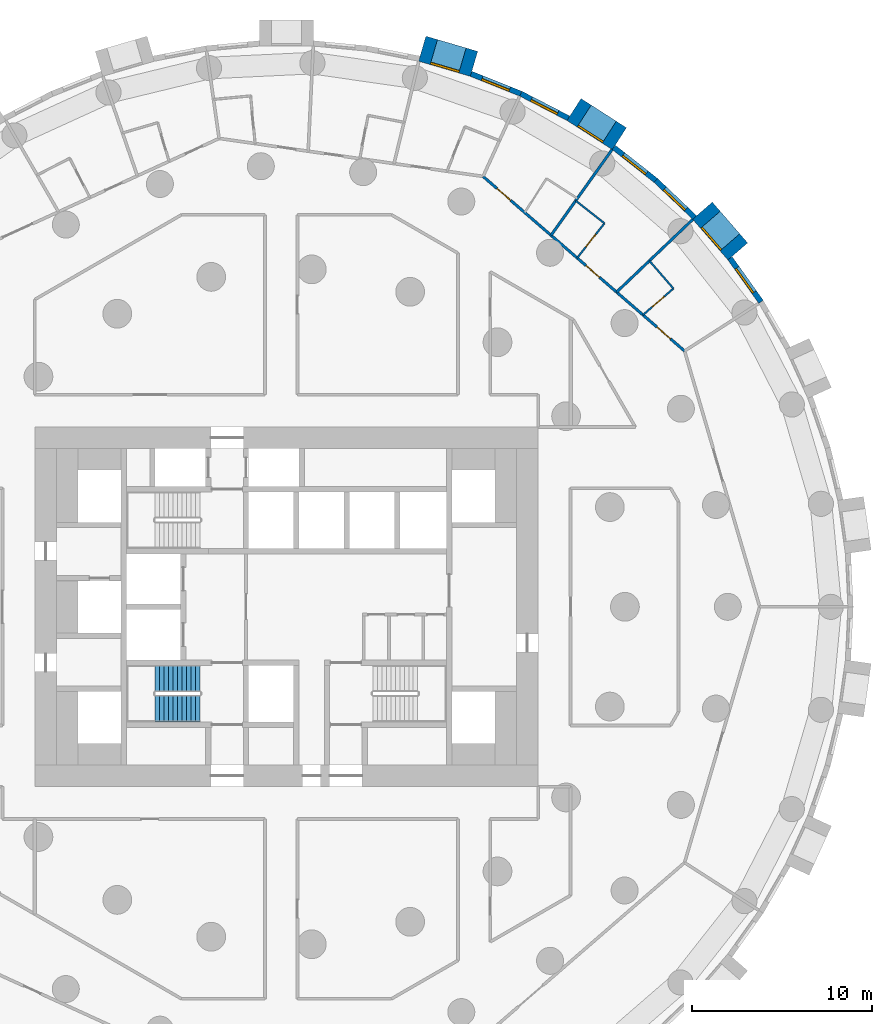
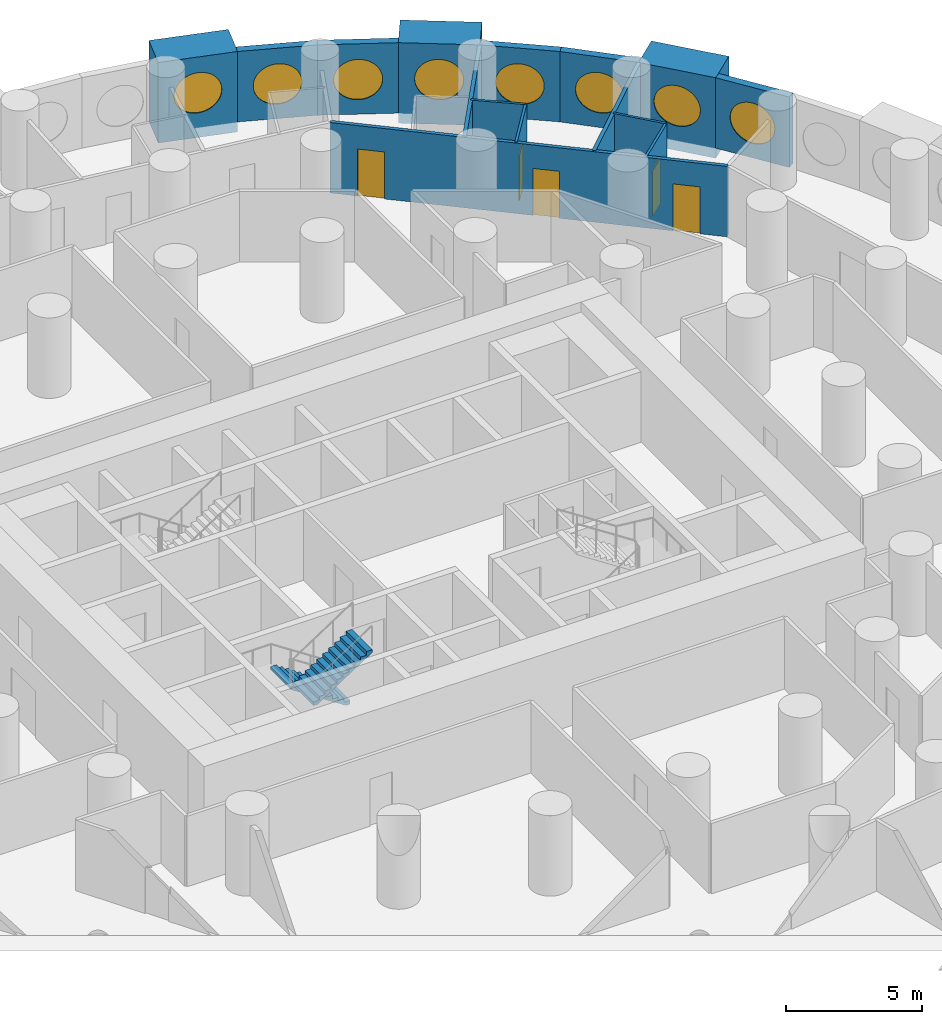
# One storey, part 10 of 12: 15 walls, 8 windows, 5 doors, 2 stair flights, 13 openings, 1 element without a shape of its own.
"""IFC4 building model written with IfcOpenShell, lengths in metres."""

from ifc_helpers import new_model, si_unit, direction, frame, frame_2d, origin, origin_2d, place, context, subcontext, project, spatial, polyline, rectangle, circle, outline, extrude, material, layer, layer_set, type_object, element, fill, aggregate, save


model = new_model("IFC4")

# Units and contexts
model_context = context("Model", 3, precision=1e-05, world=origin(), true_north=direction((0.0, 1.0)))
body_context = subcontext(model_context, "Body", "Model", "MODEL_VIEW")
ifc_project = project(units=[si_unit("LENGTHUNIT", "METRE"), si_unit("AREAUNIT", "SQUARE_METRE"), si_unit("VOLUMEUNIT", "CUBIC_METRE"), si_unit("PLANEANGLEUNIT", "RADIAN"), si_unit("MASSUNIT", "GRAM", prefix="KILO")], contexts=[model_context])

# Site, building, storey
site_placement = place(None, origin())
site = spatial("IfcSite", under=ifc_project, at=site_placement, CompositionType="ELEMENT")
building_placement = place(site_placement, origin())
building = spatial("IfcBuilding", under=site, at=building_placement, Name="Tracery Tower", CompositionType="ELEMENT")
storey_placement = place(building_placement, frame((0.0, 0.0, 49.800048828125)))
storey = spatial("IfcBuildingStorey", under=building, at=storey_placement, Name="L11", CompositionType="ELEMENT", Elevation=49.800048828125)

# Wall, opening, window
ifc_material_1 = material(Name="Precast concrete C50/60", Category="concrete")
ifc_layer_1 = layer(ifc_material_1, 1.449951171875)
ifc_layer_set_1 = layer_set([ifc_layer_1], Name="Deep-set bay unit 3000 x 3600, slab edge 450")
wall_type_1 = type_object("IfcWallType", Name="Deep-set bay unit 3000 x 3600, slab edge 450", PredefinedType="ELEMENTEDWALL", material=ifc_layer_set_1)
wall_1_placement = place(storey_placement, frame((25.101318359375, 19.765625, -0.449951171875), z_axis=(0.0, 0.0, 1.0), x_axis=(-0.654890259022, 0.75572398972, 0.0)))
wall_1 = element("IfcWall", 1, at=wall_1_placement, inside=storey, type_object=wall_type_1, Name="Deep-set bay unit 8 at L11", PredefinedType="ELEMENTEDWALL", context=body_context, shape_type="SweptSolid", body=[
    extrude(rectangle(XDim=3.0, YDim=1.449951171875, at=frame_2d((1.5, 0.0))), origin(), (0.0, 0.0, 1.0), 3.599853515625),
])
opening_1_placement = place(wall_1_placement, frame((1.5, 0.0, 2.0)))
opening_1 = element("IfcOpeningElement", 2, at=opening_1_placement, cuts=wall_1, Name="Opening WN1", PredefinedType="OPENING", context=body_context, shape_type="SweptSolid", body=[
    extrude(circle(Radius=0.9000244140625, at=origin_2d()), frame((0.0, 0.73486328125, 0.0), z_axis=(0.0, -1.0, 0.0), x_axis=(1.0, 0.0, 0.0)), (0.0, 0.0, 1.0), 1.469970703125),
])
ifc_material_2 = material(Name="Aluminium frame with tinted double glazing", Category="aluminium")
window_type = type_object("IfcWindowType", Name="Round window 1800", PartitioningType="SINGLE_PANEL", PredefinedType="WINDOW", material=ifc_material_2)
window_1_placement = place(opening_1_placement, origin())
window_1 = element("IfcWindow", 3, at=window_1_placement, inside=storey, type_object=window_type, Name="Round window 8 at L11", OverallHeight=1.800048828125, OverallWidth=1.800048828125, PartitioningType="SINGLE_PANEL", PredefinedType="WINDOW", context=body_context, shape_type="SweptSolid", body=[
    extrude(circle(Radius=0.9000244140625, at=origin_2d()), frame((0.0, 0.69482421875, 0.0), z_axis=(0.0, -1.0, 0.0), x_axis=(1.0, 0.0, 0.0)), (0.0, 0.0, 1.0), 0.10009765625),
])
fill(opening_1, window_1)

wall_2_placement = place(storey_placement, frame((18.515869140625, 26.03662109375, -0.449951171875), z_axis=(0.0, 0.0, 1.0), x_axis=(-0.841223422347, 0.540687667415, 0.0)))
wall_2 = element("IfcWall", 4, at=wall_2_placement, inside=storey, type_object=wall_type_1, Name="Deep-set bay unit 11 at L11", PredefinedType="ELEMENTEDWALL", context=body_context, shape_type="SweptSolid", body=[
    extrude(rectangle(XDim=3.0, YDim=1.449951171875, at=frame_2d((1.5, 0.0))), origin(), (0.0, 0.0, 1.0), 3.599853515625),
])
opening_2_placement = place(wall_2_placement, frame((1.5, 0.0, 2.0)))
opening_2 = element("IfcOpeningElement", 5, at=opening_2_placement, cuts=wall_2, Name="Opening WN1", PredefinedType="OPENING", context=body_context, shape_type="SweptSolid", body=[
    extrude(circle(Radius=0.9000244140625, at=origin_2d()), frame((0.0, 0.73486328125, 0.0), z_axis=(0.0, -1.0, 0.0), x_axis=(1.0, 0.0, 0.0)), (0.0, 0.0, 1.0), 1.469970703125),
])
window_2_placement = place(opening_2_placement, origin())
window_2 = element("IfcWindow", 6, at=window_2_placement, inside=storey, type_object=window_type, Name="Round window 11 at L11", OverallHeight=1.800048828125, OverallWidth=1.800048828125, PartitioningType="SINGLE_PANEL", PredefinedType="WINDOW", context=body_context, shape_type="SweptSolid", body=[
    extrude(circle(Radius=0.9000244140625, at=origin_2d()), frame((0.0, 0.69482421875, 0.0), z_axis=(0.0, -1.0, 0.0), x_axis=(1.0, 0.0, 0.0)), (0.0, 0.0, 1.0), 0.10009765625),
])
fill(opening_2, window_2)

wall_3_placement = place(storey_placement, frame((10.430419921875, 30.198486328125, -0.449951171875), z_axis=(0.0, 0.0, 1.0), x_axis=(-0.959489813418, 0.281743319258, 0.0)))
wall_3 = element("IfcWall", 7, at=wall_3_placement, inside=storey, type_object=wall_type_1, Name="Deep-set bay unit 14 at L11", PredefinedType="ELEMENTEDWALL", context=body_context, shape_type="SweptSolid", body=[
    extrude(rectangle(XDim=3.0, YDim=1.449951171875, at=frame_2d((1.5, 0.0))), origin(), (0.0, 0.0, 1.0), 3.599853515625),
])
opening_3_placement = place(wall_3_placement, frame((1.5, 0.0, 2.0)))
opening_3 = element("IfcOpeningElement", 8, at=opening_3_placement, cuts=wall_3, Name="Opening WN1", PredefinedType="OPENING", context=body_context, shape_type="SweptSolid", body=[
    extrude(circle(Radius=0.9000244140625, at=origin_2d()), frame((0.0, 0.73486328125, 0.0), z_axis=(0.0, -1.0, 0.0), x_axis=(1.0, 0.0, 0.0)), (0.0, 0.0, 1.0), 1.469970703125),
])
window_3_placement = place(opening_3_placement, origin())
window_3 = element("IfcWindow", 9, at=window_3_placement, inside=storey, type_object=window_type, Name="Round window 14 at L11", OverallHeight=1.800048828125, OverallWidth=1.800048828125, PartitioningType="SINGLE_PANEL", PredefinedType="WINDOW", context=body_context, shape_type="SweptSolid", body=[
    extrude(circle(Radius=0.9000244140625, at=origin_2d()), frame((0.0, 0.69482421875, 0.0), z_axis=(0.0, -1.0, 0.0), x_axis=(1.0, 0.0, 0.0)), (0.0, 0.0, 1.0), 0.10009765625),
])
fill(opening_3, window_3)

ifc_material_3 = material(Name="Precast concrete C50/60", Category="concrete")
ifc_layer_2 = layer(ifc_material_3, 0.300048828125)
ifc_layer_set_2 = layer_set([ifc_layer_2], Name="Facade panel 3000 x 3150")
wall_type_2 = type_object("IfcWallType", Name="Facade panel 3000 x 3150", PredefinedType="SOLIDWALL", material=ifc_layer_set_2)
wall_4_placement = place(storey_placement, frame((26.393798828125, 16.96240234375, 0.0), z_axis=(0.0, 0.0, 1.0), x_axis=(-0.580059407678, 0.81457417315, 0.0)))
wall_4 = element("IfcWall", 10, at=wall_4_placement, inside=storey, type_object=wall_type_2, Name="Facade panel 7 at L11", PredefinedType="SOLIDWALL", context=body_context, shape_type="SweptSolid", body=[
    extrude(rectangle(XDim=2.9794921875, YDim=0.300048828125, at=frame_2d((1.48974609375, 0.0))), origin(), (0.0, 0.0, 1.0), 3.14990234375),
])
opening_4_placement = place(wall_4_placement, frame((1.48974609375, 0.0, 1.5498046875)))
opening_4 = element("IfcOpeningElement", 11, at=opening_4_placement, cuts=wall_4, Name="Opening WN1", PredefinedType="OPENING", context=body_context, shape_type="SweptSolid", body=[
    extrude(circle(Radius=0.9000244140625, at=origin_2d()), frame((0.0, 0.159912109375, 0.0), z_axis=(0.0, -1.0, 0.0), x_axis=(1.0, 0.0, 0.0)), (0.0, 0.0, 1.0), 0.320068359375),
])
window_4_placement = place(opening_4_placement, origin())
window_4 = element("IfcWindow", 12, at=window_4_placement, inside=storey, type_object=window_type, Name="Round window 7 at L11", OverallHeight=1.800048828125, OverallWidth=1.800048828125, PartitioningType="SINGLE_PANEL", PredefinedType="WINDOW", context=body_context, shape_type="SweptSolid", body=[
    extrude(circle(Radius=0.9000244140625, at=origin_2d()), frame((0.0, 0.1201171875, 0.0), z_axis=(0.0, -1.0, 0.0), x_axis=(1.0, 0.0, 0.0)), (0.0, 0.0, 1.0), 0.10009765625),
])
fill(opening_4, window_4)

wall_5_placement = place(storey_placement, frame((22.702392578125, 21.655029296875, 0.0), z_axis=(0.0, 0.0, 1.0), x_axis=(-0.723744206617, 0.690068346896, 0.0)))
wall_5 = element("IfcWall", 13, at=wall_5_placement, inside=storey, type_object=wall_type_2, Name="Facade panel 9 at L11", PredefinedType="SOLIDWALL", context=body_context, shape_type="SweptSolid", body=[
    extrude(rectangle(XDim=2.979736328125, YDim=0.300048828125, at=frame_2d((1.48974609375, 0.0))), origin(), (0.0, 0.0, 1.0), 3.14990234375),
])
opening_5_placement = place(wall_5_placement, frame((1.48974609375, 0.0, 1.5498046875)))
opening_5 = element("IfcOpeningElement", 14, at=opening_5_placement, cuts=wall_5, Name="Opening WN1", PredefinedType="OPENING", context=body_context, shape_type="SweptSolid", body=[
    extrude(circle(Radius=0.9000244140625, at=origin_2d()), frame((0.0, 0.159912109375, 0.0), z_axis=(0.0, -1.0, 0.0), x_axis=(1.0, 0.0, 0.0)), (0.0, 0.0, 1.0), 0.320068359375),
])
window_5_placement = place(opening_5_placement, origin())
window_5 = element("IfcWindow", 15, at=window_5_placement, inside=storey, type_object=window_type, Name="Round window 9 at L11", OverallHeight=1.800048828125, OverallWidth=1.800048828125, PartitioningType="SINGLE_PANEL", PredefinedType="WINDOW", context=body_context, shape_type="SweptSolid", body=[
    extrude(circle(Radius=0.9000244140625, at=origin_2d()), frame((0.0, 0.1201171875, 0.0), z_axis=(0.0, -1.0, 0.0), x_axis=(1.0, 0.0, 0.0)), (0.0, 0.0, 1.0), 0.10009765625),
])
fill(opening_5, window_5)

wall_6_placement = place(storey_placement, frame((20.5458984375, 23.711181640625, 0.0), z_axis=(0.0, 0.0, 1.0), x_axis=(-0.786045331304, 0.618168858108, 0.0)))
wall_6 = element("IfcWall", 16, at=wall_6_placement, inside=storey, type_object=wall_type_2, Name="Facade panel 10 at L11", PredefinedType="SOLIDWALL", context=body_context, shape_type="SweptSolid", body=[
    extrude(rectangle(XDim=2.979736328125, YDim=0.300048828125, at=frame_2d((1.48974609375, 0.0))), origin(), (0.0, 0.0, 1.0), 3.14990234375),
])
opening_6_placement = place(wall_6_placement, frame((1.48974609375, 0.0, 1.5498046875)))
opening_6 = element("IfcOpeningElement", 17, at=opening_6_placement, cuts=wall_6, Name="Opening WN1", PredefinedType="OPENING", context=body_context, shape_type="SweptSolid", body=[
    extrude(circle(Radius=0.9000244140625, at=origin_2d()), frame((0.0, 0.159912109375, 0.0), z_axis=(0.0, -1.0, 0.0), x_axis=(1.0, 0.0, 0.0)), (0.0, 0.0, 1.0), 0.320068359375),
])
window_6_placement = place(opening_6_placement, origin())
window_6 = element("IfcWindow", 18, at=window_6_placement, inside=storey, type_object=window_type, Name="Round window 10 at L11", OverallHeight=1.800048828125, OverallWidth=1.800048828125, PartitioningType="SINGLE_PANEL", PredefinedType="WINDOW", context=body_context, shape_type="SweptSolid", body=[
    extrude(circle(Radius=0.9000244140625, at=origin_2d()), frame((0.0, 0.1201171875, 0.0), z_axis=(0.0, -1.0, 0.0), x_axis=(1.0, 0.0, 0.0)), (0.0, 0.0, 1.0), 0.10009765625),
])
fill(opening_6, window_6)

wall_7_placement = place(storey_placement, frame((15.681884765625, 27.173828125, 0.0), z_axis=(0.0, 0.0, 1.0), x_axis=(-0.888819853856, 0.458256770153, 0.0)))
wall_7 = element("IfcWall", 19, at=wall_7_placement, inside=storey, type_object=wall_type_2, Name="Facade panel 12 at L11", PredefinedType="SOLIDWALL", context=body_context, shape_type="SweptSolid", body=[
    extrude(rectangle(XDim=2.979736328125, YDim=0.300048828125, at=frame_2d((1.48974609375, 0.0))), origin(), (0.0, 0.0, 1.0), 3.14990234375),
])
opening_7_placement = place(wall_7_placement, frame((1.48974609375, 0.0, 1.5498046875)))
opening_7 = element("IfcOpeningElement", 20, at=opening_7_placement, cuts=wall_7, Name="Opening WN1", PredefinedType="OPENING", context=body_context, shape_type="SweptSolid", body=[
    extrude(circle(Radius=0.9000244140625, at=origin_2d()), frame((0.0, 0.159912109375, 0.0), z_axis=(0.0, -1.0, 0.0), x_axis=(1.0, 0.0, 0.0)), (0.0, 0.0, 1.0), 0.320068359375),
])
window_7_placement = place(opening_7_placement, origin())
window_7 = element("IfcWindow", 21, at=window_7_placement, inside=storey, type_object=window_type, Name="Round window 12 at L11", OverallHeight=1.800048828125, OverallWidth=1.800048828125, PartitioningType="SINGLE_PANEL", PredefinedType="WINDOW", context=body_context, shape_type="SweptSolid", body=[
    extrude(circle(Radius=0.9000244140625, at=origin_2d()), frame((0.0, 0.1201171875, 0.0), z_axis=(0.0, -1.0, 0.0), x_axis=(1.0, 0.0, 0.0)), (0.0, 0.0, 1.0), 0.10009765625),
])
fill(opening_7, window_7)

wall_8_placement = place(storey_placement, frame((13.033447265625, 28.539306640625, 0.0), z_axis=(0.0, 0.0, 1.0), x_axis=(-0.928403213937, 0.371574316054, 0.0)))
wall_8 = element("IfcWall", 22, at=wall_8_placement, inside=storey, type_object=wall_type_2, Name="Facade panel 13 at L11", PredefinedType="SOLIDWALL", context=body_context, shape_type="SweptSolid", body=[
    extrude(rectangle(XDim=2.979736328125, YDim=0.300048828125, at=frame_2d((1.48974609375, 0.0))), origin(), (0.0, 0.0, 1.0), 3.14990234375),
])
opening_8_placement = place(wall_8_placement, frame((1.48974609375, 0.0, 1.5498046875)))
opening_8 = element("IfcOpeningElement", 23, at=opening_8_placement, cuts=wall_8, Name="Opening WN1", PredefinedType="OPENING", context=body_context, shape_type="SweptSolid", body=[
    extrude(circle(Radius=0.9000244140625, at=origin_2d()), frame((0.0, 0.159912109375, 0.0), z_axis=(0.0, -1.0, 0.0), x_axis=(1.0, 0.0, 0.0)), (0.0, 0.0, 1.0), 0.320068359375),
])
window_8_placement = place(opening_8_placement, origin())
window_8 = element("IfcWindow", 24, at=window_8_placement, inside=storey, type_object=window_type, Name="Round window 13 at L11", OverallHeight=1.800048828125, OverallWidth=1.800048828125, PartitioningType="SINGLE_PANEL", PredefinedType="WINDOW", context=body_context, shape_type="SweptSolid", body=[
    extrude(circle(Radius=0.9000244140625, at=origin_2d()), frame((0.0, 0.1201171875, 0.0), z_axis=(0.0, -1.0, 0.0), x_axis=(1.0, 0.0, 0.0)), (0.0, 0.0, 1.0), 0.10009765625),
])
fill(opening_8, window_8)

# Wall, opening, door
ifc_material_4 = material(Name="Plasterboard on steel studs", Category="steel")
ifc_layer_3 = layer(ifc_material_4, 0.10009765625)
ifc_layer_set_3 = layer_set([ifc_layer_3], Name="Partition 100 wet wall")
wall_type_3 = type_object("IfcWallType", Name="Partition 100 wet wall", PredefinedType="PARTITIONING", material=ifc_layer_set_3)
wall_9_placement = place(storey_placement, frame((19.825927734375, 16.23388671875, 0.0), z_axis=(0.0, 0.0, 1.0), x_axis=(0.755703447798, 0.654913963042, 0.0)))
wall_9 = element("IfcWall", 25, at=wall_9_placement, inside=storey, type_object=wall_type_3, Name="Wet wall RA3-062", PredefinedType="PARTITIONING", context=body_context, shape_type="SweptSolid", body=[
    extrude(rectangle(XDim=2.242919921875, YDim=0.10009765625, at=frame_2d((1.12158203125, 0.0))), origin(), (0.0, 0.0, 1.0), 3.14990234375),
])
opening_9_placement = place(wall_9_placement, frame((0.6708984375, 0.0, 0.0)))
opening_9 = element("IfcOpeningElement", 26, at=opening_9_placement, cuts=wall_9, Name="Opening RA3-12", PredefinedType="OPENING", context=body_context, shape_type="SweptSolid", body=[
    extrude(rectangle(XDim=0.89990234375, YDim=2.0400390625, at=frame_2d((0.449951171875, 1.02001953125))), frame((0.0, 0.050048828125, 0.0), z_axis=(0.0, -1.0, 0.0), x_axis=(1.0, 0.0, 0.0)), (0.0, 0.0, 1.0), 0.10009765625),
])
ifc_material_5 = material(Name="Timber door leaf", Category="wood")
door_type_1 = type_object("IfcDoorType", Name="Door en-suite 900", OperationType="NOTDEFINED", PredefinedType="DOOR", material=ifc_material_5)
door_1_placement = place(opening_9_placement, origin())
door_1 = element("IfcDoor", 27, at=door_1_placement, inside=storey, type_object=door_type_1, Name="En-suite door RA3-12", OperationType="SINGLE_SWING_LEFT", OverallHeight=2.0400390625, OverallWidth=0.89990234375, PredefinedType="DOOR", context=body_context, shape_type="SweptSolid", body=[
    extrude(rectangle(XDim=0.89990234375, YDim=2.0400390625, at=frame_2d((0.449951171875, 1.02001953125))), frame((0.0, 0.02490234375, 0.0), z_axis=(0.0, -1.0, 0.0), x_axis=(1.0, 0.0, 0.0)), (0.0, 0.0, 1.0), 0.050048828125),
])
fill(opening_9, door_1)

# Wall
wall_10_placement = place(storey_placement, frame((20.18408203125, 19.2451171875, 0.0), z_axis=(0.0, 0.0, 1.0), x_axis=(0.655017058368, -0.755614090159, 0.0)))
element("IfcWall", 28, at=wall_10_placement, inside=storey, type_object=wall_type_3, Name="Wet wall RA3-063", PredefinedType="PARTITIONING", context=body_context, shape_type="SweptSolid", body=[
    extrude(rectangle(XDim=2.041015625, YDim=0.10009765625, at=frame_2d((1.0205078125, 0.0))), origin(), (0.0, 0.0, 1.0), 3.14990234375),
])

# Wall, opening, door
wall_11_placement = place(storey_placement, frame((16.16796875, 19.404052734375, 0.0), z_axis=(0.0, 0.0, 1.0), x_axis=(0.618142414415, 0.786066126672, 0.0)))
wall_11 = element("IfcWall", 29, at=wall_11_placement, inside=storey, type_object=wall_type_3, Name="Wet wall RA3-065", PredefinedType="PARTITIONING", context=body_context, shape_type="SweptSolid", body=[
    extrude(rectangle(XDim=2.45263671875, YDim=0.10009765625, at=frame_2d((1.226318359375, 0.0))), origin(), (0.0, 0.0, 1.0), 3.14990234375),
])
opening_10_placement = place(wall_11_placement, frame((0.77587890625, 0.0, 0.0)))
opening_10 = element("IfcOpeningElement", 30, at=opening_10_placement, cuts=wall_11, Name="Opening RA3-14", PredefinedType="OPENING", context=body_context, shape_type="SweptSolid", body=[
    extrude(rectangle(XDim=0.89990234375, YDim=2.0400390625, at=frame_2d((0.449951171875, 1.02001953125))), frame((0.0, 0.050048828125, 0.0), z_axis=(0.0, -1.0, 0.0), x_axis=(1.0, 0.0, 0.0)), (0.0, 0.0, 1.0), 0.10009765625),
])
door_2_placement = place(opening_10_placement, origin())
door_2 = element("IfcDoor", 31, at=door_2_placement, inside=storey, type_object=door_type_1, Name="En-suite door RA3-14", OperationType="SINGLE_SWING_LEFT", OverallHeight=2.0400390625, OverallWidth=0.89990234375, PredefinedType="DOOR", context=body_context, shape_type="SweptSolid", body=[
    extrude(rectangle(XDim=0.89990234375, YDim=2.0400390625, at=frame_2d((0.449951171875, 1.02001953125))), frame((0.0, 0.02490234375, 0.0), z_axis=(0.0, -1.0, 0.0), x_axis=(1.0, 0.0, 0.0)), (0.0, 0.0, 1.0), 0.050048828125),
])
fill(opening_10, door_2)

# Walls
wall_12_placement = place(storey_placement, frame((16.0859375, 22.589111328125, 0.0), z_axis=(0.0, 0.0, 1.0), x_axis=(0.785984904201, -0.618245687707, 0.0)))
element("IfcWall", 32, at=wall_12_placement, inside=storey, type_object=wall_type_3, Name="Wet wall RA3-066", PredefinedType="PARTITIONING", context=body_context, shape_type="SweptSolid", body=[
    extrude(rectangle(XDim=2.033203125, YDim=0.10009765625, at=frame_2d((1.0166015625, 0.0))), origin(), (0.0, 0.0, 1.0), 3.14990234375),
])
ifc_material_6 = material(Name="Plasterboard on steel studs", Category="steel")
ifc_layer_4 = layer(ifc_material_6, 0.14990234375)
ifc_layer_set_4 = layer_set([ifc_layer_4], Name="Partition 150 acoustic unit wall")
wall_type_4 = type_object("IfcWallType", Name="Partition 150 acoustic unit wall", PredefinedType="PARTITIONING", material=ifc_layer_set_4)
wall_13_placement = place(storey_placement, frame((18.360107421875, 17.5048828125, 0.0), z_axis=(0.0, 0.0, 1.0), x_axis=(0.723605349213, 0.690213951315, 0.0)))
element("IfcWall", 33, at=wall_13_placement, inside=storey, type_object=wall_type_4, Name="Unit wall RA3-064", PredefinedType="PARTITIONING", context=body_context, shape_type="SweptSolid", body=[
    extrude(rectangle(XDim=5.8564453125, YDim=0.14990234375, at=frame_2d((2.92822265625, 0.0))), origin(), (0.0, 0.0, 1.0), 3.14990234375),
])
wall_14_placement = place(storey_placement, frame((14.71533203125, 20.663818359375, 0.0), z_axis=(0.0, 0.0, 1.0), x_axis=(0.57995989616, 0.814645026282, 0.0)))
element("IfcWall", 34, at=wall_14_placement, inside=storey, type_object=wall_type_4, Name="Unit wall RA3-067", PredefinedType="PARTITIONING", context=body_context, shape_type="SweptSolid", body=[
    extrude(rectangle(XDim=5.85693359375, YDim=0.14990234375, at=frame_2d((2.928466796875, 0.0))), origin(), (0.0, 0.0, 1.0), 3.14990234375),
])

# Wall, openings, doors
ifc_material_7 = material(Name="Plasterboard on steel studs", Category="steel")
ifc_layer_5 = layer(ifc_material_7, 0.14990234375)
ifc_layer_set_5 = layer_set([ifc_layer_5], Name="Partition 150 corridor wall")
wall_type_5 = type_object("IfcWallType", Name="Partition 150 corridor wall", PredefinedType="PARTITIONING", material=ifc_layer_set_5)
wall_15_placement = place(storey_placement, frame((10.93212890625, 23.93896484375, 0.0), z_axis=(0.0, 0.0, 1.0), x_axis=(0.755838982892, -0.654757536757, 0.0)))
wall_15 = element("IfcWall", 35, at=wall_15_placement, inside=storey, type_object=wall_type_5, Name="Corridor wall RA3-022", PredefinedType="PARTITIONING", context=body_context, shape_type="SweptSolid", body=[
    extrude(rectangle(XDim=14.829833984375, YDim=0.14990234375, at=frame_2d((7.4150390625, 0.0))), origin(), (0.0, 0.0, 1.0), 3.14990234375),
])
opening_11_placement = place(wall_15_placement, frame((12.7958984375, 0.0, 0.0)))
opening_11 = element("IfcOpeningElement", 36, at=opening_11_placement, cuts=wall_15, Name="Opening RA3-13", PredefinedType="OPENING", context=body_context, shape_type="SweptSolid", body=[
    extrude(rectangle(XDim=1.0, YDim=2.10009765625, at=frame_2d((0.5, 1.050048828125))), frame((0.0, 0.074951171875, 0.0), z_axis=(0.0, -1.0, 0.0), x_axis=(1.0, 0.0, 0.0)), (0.0, 0.0, 1.0), 0.14990234375),
])
opening_12_placement = place(wall_15_placement, frame((7.571533203125, 0.0, 0.0)))
opening_12 = element("IfcOpeningElement", 37, at=opening_12_placement, cuts=wall_15, Name="Opening RA3-15", PredefinedType="OPENING", context=body_context, shape_type="SweptSolid", body=[
    extrude(rectangle(XDim=1.0, YDim=2.10009765625, at=frame_2d((0.5, 1.050048828125))), frame((0.0, 0.074951171875, 0.0), z_axis=(0.0, -1.0, 0.0), x_axis=(1.0, 0.0, 0.0)), (0.0, 0.0, 1.0), 0.14990234375),
])
opening_13_placement = place(wall_15_placement, frame((1.032958984375, 0.0, 0.0)))
opening_13 = element("IfcOpeningElement", 38, at=opening_13_placement, cuts=wall_15, Name="Opening RA3-17", PredefinedType="OPENING", context=body_context, shape_type="SweptSolid", body=[
    extrude(rectangle(XDim=1.0, YDim=2.10009765625, at=frame_2d((0.5, 1.050048828125))), frame((0.0, 0.074951171875, 0.0), z_axis=(0.0, -1.0, 0.0), x_axis=(1.0, 0.0, 0.0)), (0.0, 0.0, 1.0), 0.14990234375),
])
ifc_material_8 = material(Name="Timber door leaf", Category="wood")
door_type_2 = type_object("IfcDoorType", Name="Door unit entrance 1000", OperationType="NOTDEFINED", PredefinedType="DOOR", material=ifc_material_8)
door_3_placement = place(opening_11_placement, origin())
door_3 = element("IfcDoor", 39, at=door_3_placement, inside=storey, type_object=door_type_2, Name="Unit entrance door RA3-13", OperationType="SINGLE_SWING_LEFT", OverallHeight=2.10009765625, OverallWidth=1.0, PredefinedType="DOOR", context=body_context, shape_type="SweptSolid", body=[
    extrude(rectangle(XDim=1.0, YDim=2.10009765625, at=frame_2d((0.5, 1.050048828125))), frame((0.0, 0.02490234375, 0.0), z_axis=(0.0, -1.0, 0.0), x_axis=(1.0, 0.0, 0.0)), (0.0, 0.0, 1.0), 0.050048828125),
])
fill(opening_11, door_3)
door_4_placement = place(opening_12_placement, origin())
door_4 = element("IfcDoor", 40, at=door_4_placement, inside=storey, type_object=door_type_2, Name="Unit entrance door RA3-15", OperationType="SINGLE_SWING_LEFT", OverallHeight=2.10009765625, OverallWidth=1.0, PredefinedType="DOOR", context=body_context, shape_type="SweptSolid", body=[
    extrude(rectangle(XDim=1.0, YDim=2.10009765625, at=frame_2d((0.5, 1.050048828125))), frame((0.0, 0.02490234375, 0.0), z_axis=(0.0, -1.0, 0.0), x_axis=(1.0, 0.0, 0.0)), (0.0, 0.0, 1.0), 0.050048828125),
])
fill(opening_12, door_4)
door_5_placement = place(opening_13_placement, origin())
door_5 = element("IfcDoor", 41, at=door_5_placement, inside=storey, type_object=door_type_2, Name="Unit entrance door RA3-17", OperationType="SINGLE_SWING_LEFT", OverallHeight=2.10009765625, OverallWidth=1.0, PredefinedType="DOOR", context=body_context, shape_type="SweptSolid", body=[
    extrude(rectangle(XDim=1.0, YDim=2.10009765625, at=frame_2d((0.5, 1.050048828125))), frame((0.0, 0.02490234375, 0.0), z_axis=(0.0, -1.0, 0.0), x_axis=(1.0, 0.0, 0.0)), (0.0, 0.0, 1.0), 0.050048828125),
])
fill(opening_13, door_5)

# Stair, stair flights
ifc_material_9 = material(Name="Concrete C32/40", Category="concrete")
stair_type = type_object("IfcStairType", Name="Core stair 22 risers", PredefinedType="HALF_TURN_STAIR", material=ifc_material_9)
stair_placement = place(storey_placement, origin())
stair = element("IfcStair", 42, at=stair_placement, inside=storey, type_object=stair_type, Name="L11 stair ST1", PredefinedType="HALF_TURN_STAIR")
ifc_material_10 = material(Name="Concrete C32/40", Category="concrete")
stair_flight_type = type_object("IfcStairFlightType", Name="Core stair flight 11 risers", PredefinedType="STRAIGHT", material=ifc_material_10)
stair_flight_1_placement = place(storey_placement, frame((-4.800048828125, -4.0, 0.0), z_axis=(0.0, 0.0, 1.0), x_axis=(-1.0, 0.0, 0.0)))
stair_flight_1 = element("IfcStairFlight", 43, at=stair_flight_1_placement, type_object=stair_flight_type, Name="ST1 flight 1", NumberOfRisers=11, NumberOfTreads=10, PredefinedType="STRAIGHT", RiserHeight=0.163636364, TreadLength=0.25, context=body_context, shape_type="SweptSolid", body=[
    extrude(outline(polyline([(0.0, 0.0), (0.0, 0.002685546875), (0.0, 0.00537109375), (0.0, 0.008056640625), (0.0, 0.0107421875), (0.0, 0.013427734375), (0.0, 0.01611328125), (0.0, 0.018798828125), (0.0, 0.021484375), (0.0, 0.024169921875), (0.0, 0.02685546875), (0.0, 0.029541015625), (0.0, 0.0322265625), (0.0, 0.034912109375), (0.0, 0.03759765625), (0.0, 0.040283203125), (0.0, 0.04296875), (0.0, 0.045654296875), (0.0, 0.04833984375), (0.0, 0.051025390625), (0.0, 0.0537109375), (0.0, 0.056396484375), (0.0, 0.05908203125), (0.0, 0.061767578125), (0.0, 0.064453125), (0.0, 0.067138671875), (0.0, 0.06982421875), (0.0, 0.072509765625), (0.0, 0.0751953125), (0.0, 0.077880859375), (0.0, 0.08056640625), (0.0, 0.083251953125), (0.0, 0.0859375), (0.0, 0.088623046875), (0.0, 0.09130859375), (0.0, 0.093994140625), (0.0, 0.0966796875), (0.0, 0.099365234375), (0.0, 0.10205078125), (0.0, 0.104736328125), (0.0, 0.107421875), (0.0, 0.10986328125), (0.0, 0.112548828125), (0.0, 0.115234375), (0.0, 0.117919921875), (0.0, 0.12060546875), (0.0, 0.123291015625), (0.0, 0.1259765625), (0.0, 0.128662109375), (0.0, 0.13134765625), (0.0, 0.134033203125), (0.0, 0.13671875), (0.0, 0.139404296875), (0.0, 0.14208984375), (0.0, 0.144775390625), (0.0, 0.1474609375), (0.0, 0.150146484375), (0.0, 0.15283203125), (0.0, 0.155517578125), (0.0, 0.158203125), (0.0, 0.160888671875), (0.0, 0.16357421875), (0.25, 0.16357421875), (0.25, 0.327392578125), (0.5, 0.327392578125), (0.5, 0.490966796875), (0.75, 0.490966796875), (0.75, 0.654541015625), (1.0, 0.654541015625), (1.0, 0.818115234375), (1.25, 0.818115234375), (1.25, 0.98193359375), (1.5, 0.98193359375), (1.5, 1.1455078125), (1.75, 1.1455078125), (1.75, 1.30908203125), (2.0, 1.30908203125), (2.0, 1.47265625), (2.25, 1.47265625), (2.25, 1.636474609375), (2.5, 1.636474609375), (2.5, 1.634521484375), (2.5, 1.63232421875), (2.5, 1.63037109375), (2.5, 1.62841796875), (2.5, 1.62646484375), (2.5, 1.62451171875), (2.5, 1.62255859375), (2.5, 1.62060546875), (2.5, 1.61865234375), (2.5, 1.61669921875), (2.5, 1.61474609375), (2.5, 1.61279296875), (2.5, 1.61083984375), (2.5, 1.60888671875), (2.5, 1.60693359375), (2.5, 1.60498046875), (2.5, 1.60302734375), (2.5, 1.60107421875), (2.5, 1.59912109375), (2.5, 1.59716796875), (2.5, 1.59521484375), (2.5, 1.59326171875), (2.5, 1.59130859375), (2.5, 1.58935546875), (2.5, 1.58740234375), (2.5, 1.58544921875), (2.5, 1.58349609375), (2.5, 1.58154296875), (2.5, 1.57958984375), (2.5, 1.57763671875), (2.5, 1.57568359375), (2.5, 1.573486328125), (2.5, 1.571533203125), (2.5, 1.569580078125), (2.5, 1.567626953125), (2.5, 1.565673828125), (2.5, 1.563720703125), (2.5, 1.561767578125), (2.5, 1.559814453125), (2.5, 1.557861328125), (2.5, 1.555908203125), (2.5, 1.553955078125), (2.5, 1.552001953125), (2.5, 1.550048828125), (2.5, 1.548095703125), (2.5, 1.546142578125), (2.5, 1.544189453125), (2.5, 1.542236328125), (2.5, 1.540283203125), (2.5, 1.538330078125), (2.5, 1.536376953125), (2.5, 1.534423828125), (2.5, 1.532470703125), (2.5, 1.530517578125), (2.5, 1.528564453125), (2.5, 1.526611328125), (2.5, 1.524658203125), (2.5, 1.522705078125), (2.5, 1.520751953125), (2.5, 1.518798828125), (2.5, 1.516845703125), (0.182861328125, 0.0), (0.0, 0.0)])), frame((0.0, 0.75, 0.0), z_axis=(0.0, -1.0, 0.0), x_axis=(1.0, 0.0, 0.0)), (0.0, 0.0, 1.0), 1.5),
])
stair_flight_2_placement = place(storey_placement, frame((-7.300048828125, -5.64990234375, 1.800048828125), z_axis=(0.0, 0.0, 1.0), x_axis=(1.0, 0.0, 0.0)))
stair_flight_2 = element("IfcStairFlight", 44, at=stair_flight_2_placement, type_object=stair_flight_type, Name="ST1 flight 2", NumberOfRisers=11, NumberOfTreads=10, PredefinedType="STRAIGHT", RiserHeight=0.163636364, TreadLength=0.25, context=body_context, shape_type="SweptSolid", body=[
    extrude(outline(polyline([(0.0, 0.0), (0.0, 0.002685546875), (0.0, 0.00537109375), (0.0, 0.008056640625), (0.0, 0.0107421875), (0.0, 0.013427734375), (0.0, 0.01611328125), (0.0, 0.018798828125), (0.0, 0.021484375), (0.0, 0.024169921875), (0.0, 0.02685546875), (0.0, 0.029541015625), (0.0, 0.0322265625), (0.0, 0.034912109375), (0.0, 0.03759765625), (0.0, 0.040283203125), (0.0, 0.04296875), (0.0, 0.045654296875), (0.0, 0.04833984375), (0.0, 0.051025390625), (0.0, 0.0537109375), (0.0, 0.056396484375), (0.0, 0.05908203125), (0.0, 0.061767578125), (0.0, 0.064453125), (0.0, 0.067138671875), (0.0, 0.06982421875), (0.0, 0.072509765625), (0.0, 0.0751953125), (0.0, 0.077880859375), (0.0, 0.08056640625), (0.0, 0.083251953125), (0.0, 0.0859375), (0.0, 0.088623046875), (0.0, 0.09130859375), (0.0, 0.093994140625), (0.0, 0.0966796875), (0.0, 0.099365234375), (0.0, 0.10205078125), (0.0, 0.104736328125), (0.0, 0.107421875), (0.0, 0.10986328125), (0.0, 0.112548828125), (0.0, 0.115234375), (0.0, 0.117919921875), (0.0, 0.12060546875), (0.0, 0.123291015625), (0.0, 0.1259765625), (0.0, 0.128662109375), (0.0, 0.13134765625), (0.0, 0.134033203125), (0.0, 0.13671875), (0.0, 0.139404296875), (0.0, 0.14208984375), (0.0, 0.144775390625), (0.0, 0.1474609375), (0.0, 0.150146484375), (0.0, 0.15283203125), (0.0, 0.155517578125), (0.0, 0.158203125), (0.0, 0.160888671875), (0.0, 0.16357421875), (0.25, 0.16357421875), (0.25, 0.327392578125), (0.5, 0.327392578125), (0.5, 0.490966796875), (0.75, 0.490966796875), (0.75, 0.654541015625), (1.0, 0.654541015625), (1.0, 0.818115234375), (1.25, 0.818115234375), (1.25, 0.98193359375), (1.5, 0.98193359375), (1.5, 1.1455078125), (1.75, 1.1455078125), (1.75, 1.30908203125), (2.0, 1.30908203125), (2.0, 1.47265625), (2.25, 1.47265625), (2.25, 1.636474609375), (2.5, 1.636474609375), (2.5, 1.634521484375), (2.5, 1.63232421875), (2.5, 1.63037109375), (2.5, 1.62841796875), (2.5, 1.62646484375), (2.5, 1.62451171875), (2.5, 1.62255859375), (2.5, 1.62060546875), (2.5, 1.61865234375), (2.5, 1.61669921875), (2.5, 1.61474609375), (2.5, 1.61279296875), (2.5, 1.61083984375), (2.5, 1.60888671875), (2.5, 1.60693359375), (2.5, 1.60498046875), (2.5, 1.60302734375), (2.5, 1.60107421875), (2.5, 1.59912109375), (2.5, 1.59716796875), (2.5, 1.59521484375), (2.5, 1.59326171875), (2.5, 1.59130859375), (2.5, 1.58935546875), (2.5, 1.58740234375), (2.5, 1.58544921875), (2.5, 1.58349609375), (2.5, 1.58154296875), (2.5, 1.57958984375), (2.5, 1.57763671875), (2.5, 1.57568359375), (2.5, 1.573486328125), (2.5, 1.571533203125), (2.5, 1.569580078125), (2.5, 1.567626953125), (2.5, 1.565673828125), (2.5, 1.563720703125), (2.5, 1.561767578125), (2.5, 1.559814453125), (2.5, 1.557861328125), (2.5, 1.555908203125), (2.5, 1.553955078125), (2.5, 1.552001953125), (2.5, 1.550048828125), (2.5, 1.548095703125), (2.5, 1.546142578125), (2.5, 1.544189453125), (2.5, 1.542236328125), (2.5, 1.540283203125), (2.5, 1.538330078125), (2.5, 1.536376953125), (2.5, 1.534423828125), (2.5, 1.532470703125), (2.5, 1.530517578125), (2.5, 1.528564453125), (2.5, 1.526611328125), (2.5, 1.524658203125), (2.5, 1.522705078125), (2.5, 1.520751953125), (2.5, 1.518798828125), (2.5, 1.516845703125), (0.182861328125, 0.0), (0.0, 0.0)])), frame((0.0, 0.75, 0.0), z_axis=(0.0, -1.0, 0.0), x_axis=(1.0, 0.0, 0.0)), (0.0, 0.0, 1.0), 1.5),
])
aggregate(stair, [stair_flight_1, stair_flight_2])

save(model, "model.ifc")
